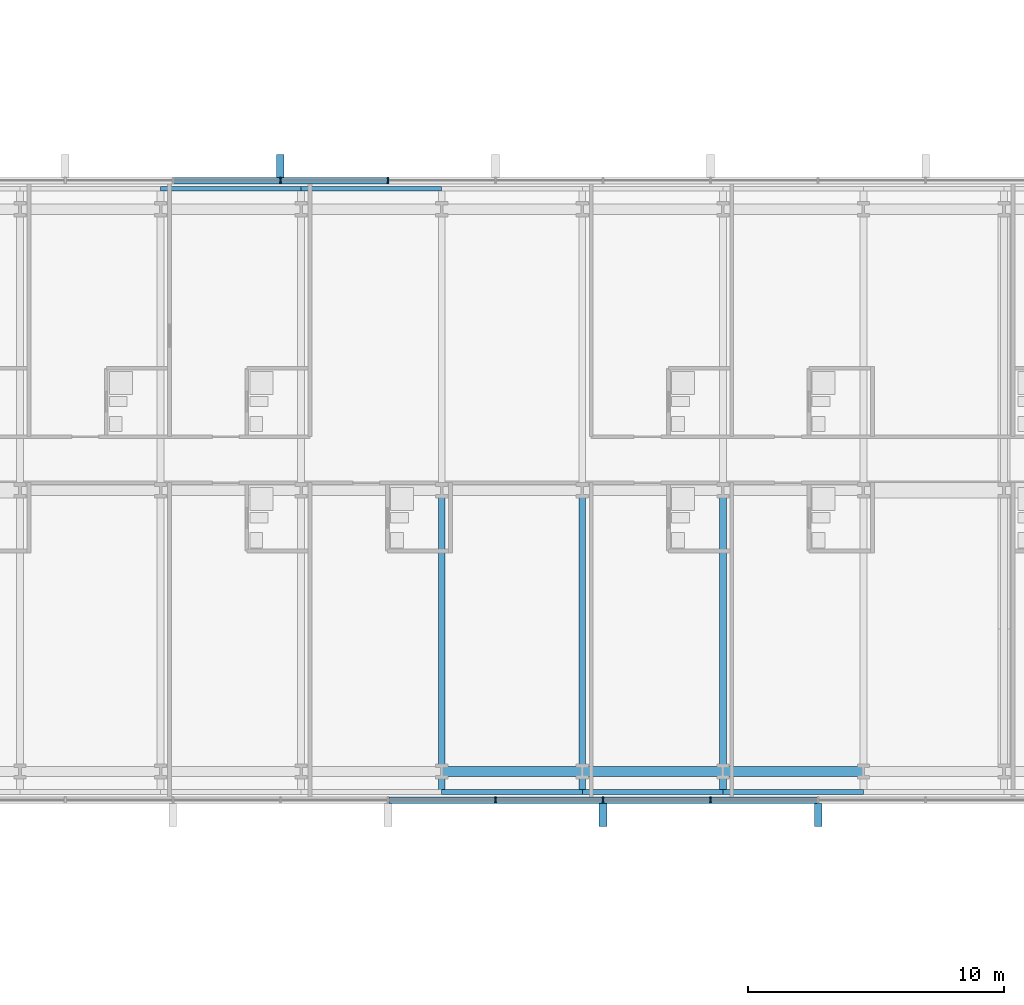
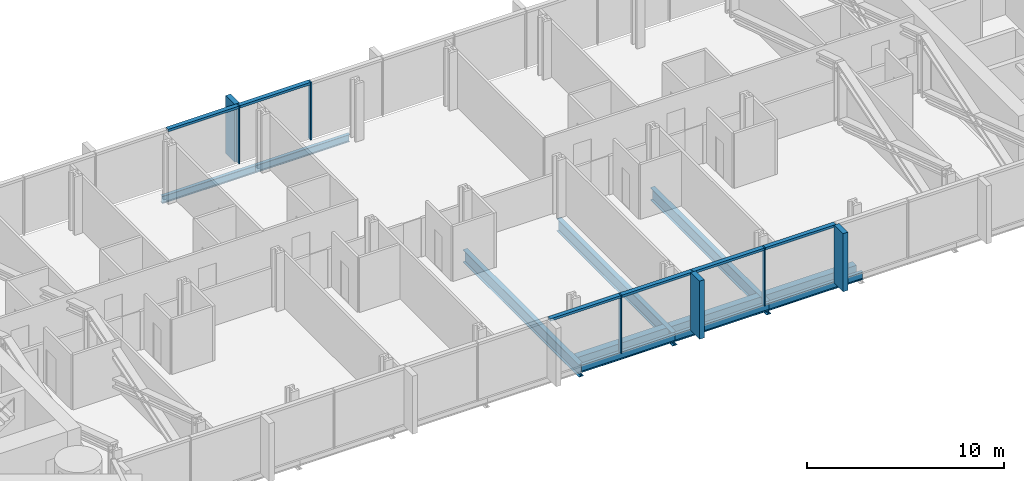
# One storey, part 6 of 22: 14 members, 11 beams, 2 elements without a shape of their own.
"""IFC4 building model written with IfcOpenShell, lengths in metres."""

from ifc_helpers import new_model, si_unit, direction, frame, origin, origin_2d, place, context, subcontext, project, spatial, rectangle, hollow_rectangle, i_section, extrude, material, material_profile, profile_set, type_object, element, aggregate, save


model = new_model("IFC4")

# Units and contexts
model_context = context("Model", 3, precision=1e-05, world=origin(), true_north=direction((0.0, 1.0)))
body_context = subcontext(model_context, "Body", "Model", "MODEL_VIEW")
ifc_project = project(units=[si_unit("LENGTHUNIT", "METRE"), si_unit("AREAUNIT", "SQUARE_METRE"), si_unit("VOLUMEUNIT", "CUBIC_METRE"), si_unit("PLANEANGLEUNIT", "RADIAN"), si_unit("MASSUNIT", "GRAM", prefix="KILO")], contexts=[model_context])

# Site, building, storey
site_placement = place(None, origin())
site = spatial("IfcSite", under=ifc_project, at=site_placement, CompositionType="ELEMENT")
building_placement = place(site_placement, origin())
building = spatial("IfcBuilding", under=site, at=building_placement, Name="Lancet Gate Hotel", CompositionType="ELEMENT")
storey_placement = place(building_placement, frame((0.0, 0.0, 233.300048828125)))
storey = spatial("IfcBuildingStorey", under=building, at=storey_placement, Name="L62", CompositionType="ELEMENT", Elevation=233.300048828125)

# Curtain wall, members
ifc_material_1 = material(Name="Aluminium curtain wall", Category="aluminium")
curtain_wall_type = type_object("IfcCurtainWallType", Name="Bridge block curtain wall", PredefinedType="USERDEFINED", material=ifc_material_1)
curtain_wall_1_placement = place(storey_placement, origin())
curtain_wall_1 = element("IfcCurtainWall", 1, at=curtain_wall_1_placement, inside=storey, type_object=curtain_wall_type, Name="Bridge block L62 curtain wall S", ObjectType="UNITISED CURTAIN WALL", PredefinedType="USERDEFINED")
ifc_material_2 = material(Name="Aluminium mullion", Category="aluminium")
ifc_material_profile_1 = material_profile(ifc_material_2, rectangle(XDim=0.06494140625, YDim=0.25, at=origin_2d()), Name="MULLION 65x250")
ifc_profile_set_1 = profile_set([ifc_material_profile_1], Name="Aluminium mullion")
member_type_1 = type_object("IfcMemberType", Name="Aluminium mullion 65x250", PredefinedType="MULLION", material=ifc_profile_set_1)
member_1_placement = place(storey_placement, frame((2.103759765625, -12.1201171875, 0.0), z_axis=(0.0, 0.0, 1.0), x_axis=(1.0, 0.0, 0.0)))
member_1 = element("IfcMember", 2, at=member_1_placement, type_object=member_type_1, Name="Bridge block L62 curtain wall S mullion 8", PredefinedType="MULLION", context=body_context, shape_type="SweptSolid", body=[
    extrude(rectangle(XDim=0.06494140625, YDim=0.25, at=origin_2d()), origin(), (0.0, 0.0, 1.0), 3.599853515625),
])
member_2_placement = place(storey_placement, frame((6.3115234375, -12.1201171875, 0.0), z_axis=(0.0, 0.0, 1.0), x_axis=(1.0, 0.0, 0.0)))
member_2 = element("IfcMember", 3, at=member_2_placement, type_object=member_type_1, Name="Bridge block L62 curtain wall S mullion 9", PredefinedType="MULLION", context=body_context, shape_type="SweptSolid", body=[
    extrude(rectangle(XDim=0.06494140625, YDim=0.25, at=origin_2d()), origin(), (0.0, 0.0, 1.0), 3.599853515625),
])
member_3_placement = place(storey_placement, frame((10.519287109375, -12.1201171875, 0.0), z_axis=(0.0, 0.0, 1.0), x_axis=(1.0, 0.0, 0.0)))
member_3 = element("IfcMember", 4, at=member_3_placement, type_object=member_type_1, Name="Bridge block L62 curtain wall S mullion 10", PredefinedType="MULLION", context=body_context, shape_type="SweptSolid", body=[
    extrude(rectangle(XDim=0.06494140625, YDim=0.25, at=origin_2d()), origin(), (0.0, 0.0, 1.0), 3.599853515625),
])

curtain_wall_2_placement = place(storey_placement, origin())
curtain_wall_2 = element("IfcCurtainWall", 5, at=curtain_wall_2_placement, inside=storey, type_object=curtain_wall_type, Name="Bridge block L62 curtain wall N", ObjectType="UNITISED CURTAIN WALL", PredefinedType="USERDEFINED")
member_4_placement = place(storey_placement, frame((-2.103759765625, 12.1201171875, 0.0), z_axis=(0.0, 0.0, 1.0), x_axis=(-1.0, 0.0, 0.0)))
member_4 = element("IfcMember", 6, at=member_4_placement, type_object=member_type_1, Name="Bridge block L62 curtain wall N mullion 8", PredefinedType="MULLION", context=body_context, shape_type="SweptSolid", body=[
    extrude(rectangle(XDim=0.06494140625, YDim=0.25, at=origin_2d()), origin(), (0.0, 0.0, 1.0), 3.599853515625),
])
member_5_placement = place(storey_placement, frame((-6.3115234375, 12.1201171875, 0.0), z_axis=(0.0, 0.0, 1.0), x_axis=(-1.0, 0.0, 0.0)))
member_5 = element("IfcMember", 7, at=member_5_placement, type_object=member_type_1, Name="Bridge block L62 curtain wall N mullion 9", PredefinedType="MULLION", context=body_context, shape_type="SweptSolid", body=[
    extrude(rectangle(XDim=0.06494140625, YDim=0.25, at=origin_2d()), origin(), (0.0, 0.0, 1.0), 3.599853515625),
])

# Member
ifc_material_3 = material(Name="Aluminium transom", Category="aluminium")
ifc_material_profile_2 = material_profile(ifc_material_3, rectangle(XDim=0.25, YDim=0.14990234375, at=origin_2d()), Name="TRANSOM 250x150")
ifc_profile_set_2 = profile_set([ifc_material_profile_2], Name="Aluminium transom")
member_type_2 = type_object("IfcMemberType", Name="Aluminium transom 250x150", PredefinedType="USERDEFINED", material=ifc_profile_set_2)
member_6_placement = place(storey_placement, frame((-2.0712890625, -12.1201171875, 3.52490234375), z_axis=(1.0, 0.0, 0.0), x_axis=(0.0, 1.0, 0.0)))
member_6 = element("IfcMember", 8, at=member_6_placement, type_object=member_type_2, Name="Bridge block L62 curtain wall S transom 7", ObjectType="TRANSOM", PredefinedType="USERDEFINED", context=body_context, shape_type="SweptSolid", body=[
    extrude(rectangle(XDim=0.25, YDim=0.14990234375, at=origin_2d()), origin(), (0.0, 0.0, 1.0), 4.142578125),
])

member_7_placement = place(storey_placement, frame((2.13623046875, -12.1201171875, 3.52490234375), z_axis=(1.0, 0.0, 0.0), x_axis=(0.0, 1.0, 0.0)))
member_7 = element("IfcMember", 9, at=member_7_placement, type_object=member_type_2, Name="Bridge block L62 curtain wall S transom 8", ObjectType="TRANSOM", PredefinedType="USERDEFINED", context=body_context, shape_type="SweptSolid", body=[
    extrude(rectangle(XDim=0.25, YDim=0.14990234375, at=origin_2d()), origin(), (0.0, 0.0, 1.0), 4.142822265625),
])

member_8_placement = place(storey_placement, frame((6.343994140625, -12.1201171875, 3.52490234375), z_axis=(1.0, 0.0, 0.0), x_axis=(0.0, 1.0, 0.0)))
member_8 = element("IfcMember", 10, at=member_8_placement, type_object=member_type_2, Name="Bridge block L62 curtain wall S transom 9", ObjectType="TRANSOM", PredefinedType="USERDEFINED", context=body_context, shape_type="SweptSolid", body=[
    extrude(rectangle(XDim=0.25, YDim=0.14990234375, at=origin_2d()), origin(), (0.0, 0.0, 1.0), 4.142822265625),
])

member_9_placement = place(storey_placement, frame((10.5517578125, -12.1201171875, 3.52490234375), z_axis=(1.0, 0.0, 0.0), x_axis=(0.0, 1.0, 0.0)))
member_9 = element("IfcMember", 11, at=member_9_placement, type_object=member_type_2, Name="Bridge block L62 curtain wall S transom 10", ObjectType="TRANSOM", PredefinedType="USERDEFINED", context=body_context, shape_type="SweptSolid", body=[
    extrude(rectangle(XDim=0.25, YDim=0.14990234375, at=origin_2d()), origin(), (0.0, 0.0, 1.0), 4.142578125),
])

member_10_placement = place(storey_placement, frame((-2.13623046875, 12.1201171875, 3.52490234375), z_axis=(-1.0, 0.0, 0.0), x_axis=(0.0, -1.0, 0.0)))
member_10 = element("IfcMember", 12, at=member_10_placement, type_object=member_type_2, Name="Bridge block L62 curtain wall N transom 8", ObjectType="TRANSOM", PredefinedType="USERDEFINED", context=body_context, shape_type="SweptSolid", body=[
    extrude(rectangle(XDim=0.25, YDim=0.14990234375, at=origin_2d()), origin(), (0.0, 0.0, 1.0), 4.142822265625),
])

member_11_placement = place(storey_placement, frame((-6.343994140625, 12.1201171875, 3.52490234375), z_axis=(-1.0, 0.0, 0.0), x_axis=(0.0, -1.0, 0.0)))
member_11 = element("IfcMember", 13, at=member_11_placement, type_object=member_type_2, Name="Bridge block L62 curtain wall N transom 9", ObjectType="TRANSOM", PredefinedType="USERDEFINED", context=body_context, shape_type="SweptSolid", body=[
    extrude(rectangle(XDim=0.25, YDim=0.14990234375, at=origin_2d()), origin(), (0.0, 0.0, 1.0), 4.142822265625),
])

# Beams
ifc_material_4 = material(Name="Steel S355", Category="steel")
ifc_material_profile_3 = material_profile(ifc_material_4, i_section(OverallWidth=0.19140625, OverallDepth=0.4599609375, WebThickness=0.010009765625, FlangeThickness=0.01611328125, FilletRadius=0.01025390625, at=origin_2d()), Name="UKB 457x191x82")
ifc_profile_set_3 = profile_set([ifc_material_profile_3], Name="Steel S355")
beam_type_1 = type_object("IfcBeamType", Name="Block edge beam UKB 457x191x82", PredefinedType="SPANDREL", material=ifc_profile_set_3)
for number, where, z_axis, x_axis, name in (
    (14, (-11.0, 11.800048828125, -0.429931640625), (1.0, 0.0, 0.0), (0.0, 1.0, 0.0), "Block edge beam N 3-4 L62"),
    (15, (-5.5, 11.800048828125, -0.429931640625), (1.0, 0.0, 0.0), (0.0, 1.0, 0.0), "Block edge beam N 4-5 L62"),
    (16, (0.0, -11.800048828125, -0.429931640625), (1.0, 0.0, 0.0), (0.0, 1.0, 0.0), "Block edge beam S 5-6 L62"),
    (17, (5.5, -11.800048828125, -0.429931640625), (1.0, 0.0, 0.0), (0.0, 1.0, 0.0), "Block edge beam S 6-7 L62"),
    (18, (11.0, -11.800048828125, -0.429931640625), (1.0, 0.0, 0.0), (0.0, 1.0, 0.0), "Block edge beam S 7-8 L62"),
):
    element("IfcBeam", number, at=place(storey_placement, frame(where, z_axis=z_axis, x_axis=x_axis)), inside=storey, type_object=beam_type_1, Name=name, PredefinedType="SPANDREL", context=body_context, shape_type="SweptSolid", body=[
        extrude(i_section(OverallWidth=0.19140625, OverallDepth=0.4599609375, WebThickness=0.010009765625, FlangeThickness=0.01611328125, FilletRadius=0.01025390625, at=origin_2d()), origin(), (0.0, 0.0, 1.0), 5.5),
    ])
ifc_material_5 = material(Name="Steel S355", Category="steel")
ifc_material_profile_4 = material_profile(ifc_material_5, hollow_rectangle(XDim=0.39990234375, YDim=0.89990234375, WallThickness=0.0400390625, at=origin_2d()), Name="BOX 900x400x40")
ifc_profile_set_4 = profile_set([ifc_material_profile_4], Name="Steel S355")
beam_type_2 = type_object("IfcBeamType", Name="Block primary beam BOX 900x400x40", PredefinedType="BEAM", material=ifc_profile_set_4)
for number, where, z_axis, x_axis, name in (
    (19, (0.0, -11.0, -0.650146484375), (1.0, 0.0, 0.0), (0.0, 1.0, 0.0), "Block primary beam S 6 L62"),
    (20, (5.5, -11.0, -0.650146484375), (1.0, 0.0, 0.0), (0.0, 1.0, 0.0), "Block primary beam S 7 L62"),
    (21, (11.0, -11.0, -0.650146484375), (1.0, 0.0, 0.0), (0.0, 1.0, 0.0), "Block primary beam S 8 L62"),
):
    element("IfcBeam", number, at=place(storey_placement, frame(where, z_axis=z_axis, x_axis=x_axis)), inside=storey, type_object=beam_type_2, Name=name, PredefinedType="BEAM", context=body_context, shape_type="SweptSolid", body=[
        extrude(hollow_rectangle(XDim=0.39990234375, YDim=0.89990234375, WallThickness=0.0400390625, at=origin_2d()), origin(), (0.0, 0.0, 1.0), 5.5),
    ])
ifc_material_6 = material(Name="Steel S355", Category="steel")
ifc_material_profile_5 = material_profile(ifc_material_6, i_section(OverallWidth=0.26806640625, OverallDepth=0.769775390625, WebThickness=0.015625, FlangeThickness=0.025390625, FilletRadius=0.0166015625, at=origin_2d()), Name="UKB 762x267x197")
ifc_profile_set_5 = profile_set([ifc_material_profile_5], Name="Steel S355")
beam_type_3 = type_object("IfcBeamType", Name="Block secondary beam UKB 762x267x197", PredefinedType="JOIST", material=ifc_profile_set_5)
for number, where, z_axis, x_axis, name in (
    (22, (0.0, -11.800048828125, -0.5849609375), (0.0, 1.0, 0.0), (-1.0, 0.0, 0.0), "Block beam x5 S L62"),
    (23, (5.5, -11.800048828125, -0.5849609375), (0.0, 1.0, 0.0), (-1.0, 0.0, 0.0), "Block beam x6 S L62"),
    (24, (11.0, -11.800048828125, -0.5849609375), (0.0, 1.0, 0.0), (-1.0, 0.0, 0.0), "Block beam x7 S L62"),
):
    element("IfcBeam", number, at=place(storey_placement, frame(where, z_axis=z_axis, x_axis=x_axis)), inside=storey, type_object=beam_type_3, Name=name, PredefinedType="JOIST", context=body_context, shape_type="SweptSolid", body=[
        extrude(i_section(OverallWidth=0.26806640625, OverallDepth=0.769775390625, WebThickness=0.015625, FlangeThickness=0.025390625, FilletRadius=0.0166015625, at=origin_2d()), origin(), (0.0, 0.0, 1.0), 11.800048828125),
    ])

# Member
ifc_material_7 = material(Name="Precast concrete C50/60", Category="concrete")
ifc_material_profile_6 = material_profile(ifc_material_7, rectangle(XDim=0.300048828125, YDim=0.89990234375, at=origin_2d()), Name="FIN 300x900")
ifc_profile_set_6 = profile_set([ifc_material_profile_6], Name="Precast concrete C50/60")
member_type_3 = type_object("IfcMemberType", Name="Exposed concrete fin 300x900", PredefinedType="USERDEFINED", material=ifc_profile_set_6)
member_12_placement = place(storey_placement, frame((6.3115234375, -12.695068359375, 0.0), z_axis=(0.0, 0.0, 1.0), x_axis=(1.0, 0.0, 0.0)))
member_12 = element("IfcMember", 25, at=member_12_placement, type_object=member_type_3, Name="Bridge block L62 curtain wall S fin 9", ObjectType="FIN", PredefinedType="USERDEFINED", context=body_context, shape_type="SweptSolid", body=[
    extrude(rectangle(XDim=0.300048828125, YDim=0.89990234375, at=origin_2d()), origin(), (0.0, 0.0, 1.0), 3.599853515625),
])

member_13_placement = place(storey_placement, frame((14.726806640625, -12.695068359375, 0.0), z_axis=(0.0, 0.0, 1.0), x_axis=(1.0, 0.0, 0.0)))
member_13 = element("IfcMember", 26, at=member_13_placement, type_object=member_type_3, Name="Bridge block L62 curtain wall S fin 11", ObjectType="FIN", PredefinedType="USERDEFINED", context=body_context, shape_type="SweptSolid", body=[
    extrude(rectangle(XDim=0.300048828125, YDim=0.89990234375, at=origin_2d()), origin(), (0.0, 0.0, 1.0), 3.599853515625),
])

aggregate(curtain_wall_1, [member_1, member_2, member_12, member_3, member_13, member_6, member_7, member_8, member_9])

member_14_placement = place(storey_placement, frame((-6.3115234375, 12.695068359375, 0.0), z_axis=(0.0, 0.0, 1.0), x_axis=(-1.0, 0.0, 0.0)))
member_14 = element("IfcMember", 27, at=member_14_placement, type_object=member_type_3, Name="Bridge block L62 curtain wall N fin 9", ObjectType="FIN", PredefinedType="USERDEFINED", context=body_context, shape_type="SweptSolid", body=[
    extrude(rectangle(XDim=0.300048828125, YDim=0.89990234375, at=origin_2d()), origin(), (0.0, 0.0, 1.0), 3.599853515625),
])

aggregate(curtain_wall_2, [member_4, member_5, member_14, member_10, member_11])

save(model, "model.ifc")
